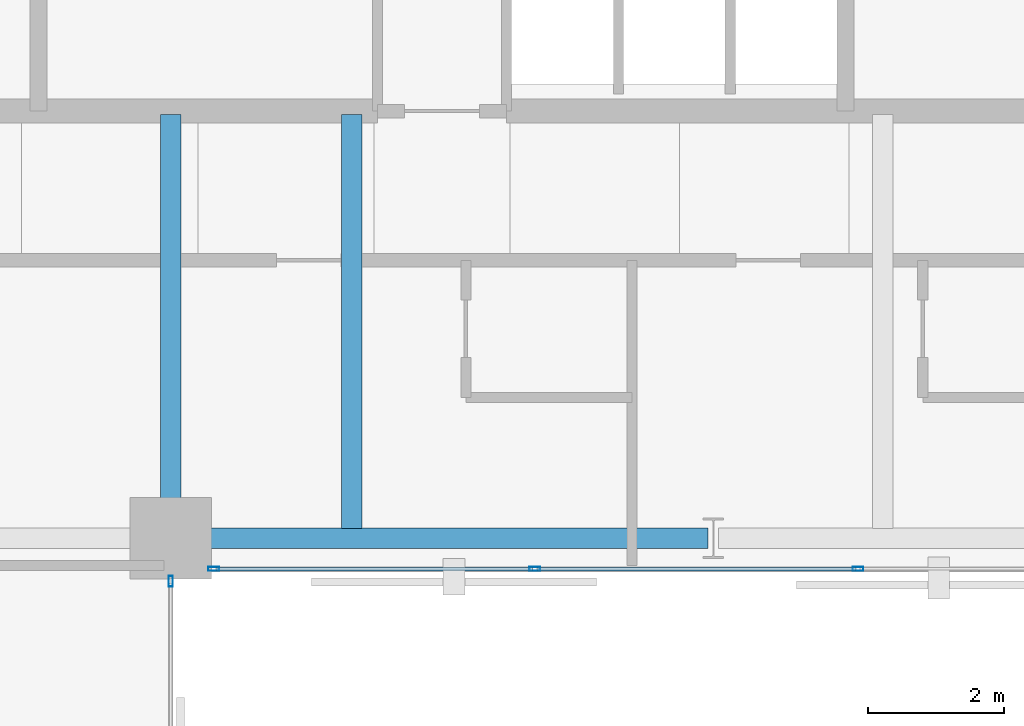
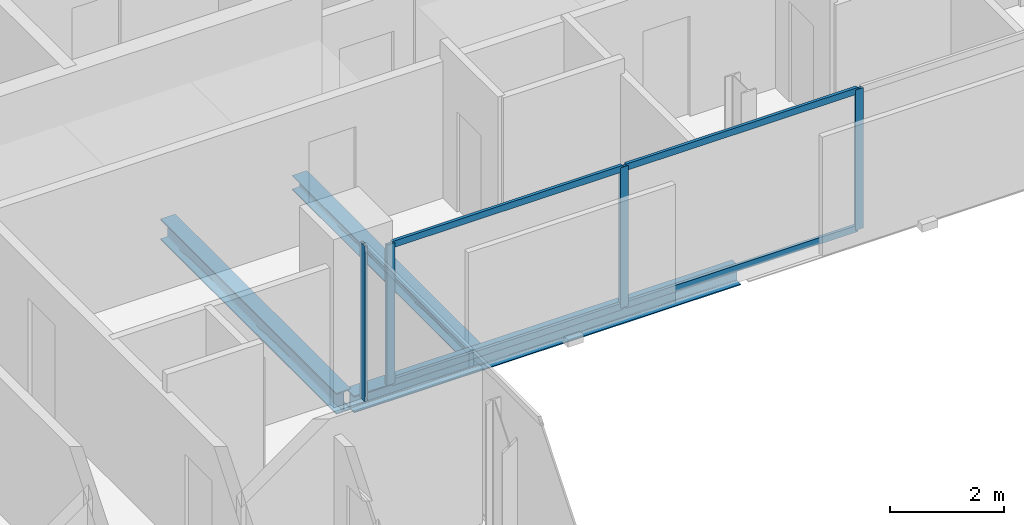
# One storey, part 13 of 32: 8 members, 3 beams, 2 elements without a shape of their own.
"""IFC4 building model written with IfcOpenShell, lengths in metres."""

import ifcopenshell
import ifcopenshell.guid

model = None  # the IFC model being written
_history = None  # IfcOwnerHistory: only IFC2X3 demands one
_inside = {}  # id of a spatial element -> (the spatial element, [elements in it])
_under = {}  # id of a project, library or spatial element -> (it, [spatial elements below it])
_declared = {}  # id of a project -> (the project, [libraries it declares])
_typed = {}  # id of a type object -> (the type object, [elements of that type])
_made_of = {}  # id of a material, layer set ... -> (it, [elements and type objects made of it])


def new_model(schema):
    """Start an empty IFC model of exactly this schema.

    Asked for "IFC4X3", IfcOpenShell would pick the latest addendum, in which some entities
    have other attributes; the version numbers below select the first issue.
    IFC2X3 requires an IfcOwnerHistory on every rooted entity: one is made here for all.
    """
    global model, _history
    if schema == "IFC4X3":
        model = ifcopenshell.file(schema_version=(4, 3, 0, 0))
    else:
        model = ifcopenshell.file(schema=schema)
    _inside.clear()
    _under.clear()
    _declared.clear()
    _typed.clear()
    _made_of.clear()
    _history = None
    if model.schema == "IFC2X3":
        org = make("IfcOrganization", Name="unknown")
        user = make(
            "IfcPersonAndOrganization",
            ThePerson=make("IfcPerson", FamilyName="unknown"),
            TheOrganization=org,
        )
        app = make(
            "IfcApplication",
            ApplicationDeveloper=org,
            Version="unknown",
            ApplicationFullName="unknown",
            ApplicationIdentifier="unknown",
        )
        _history = make(
            "IfcOwnerHistory",
            OwningUser=user,
            OwningApplication=app,
            ChangeAction="ADDED",
            CreationDate=0,
        )
    return model


def make(cls, **values):
    """One entity of the class cls with the attributes given. An attribute that is None is left unset."""
    return model.create_entity(
        cls, **{name: value for name, value in values.items() if value is not None}
    )


def rooted(cls, **values):
    """An entity with a GlobalId (a new one), such as an element, a storey or a relation."""
    return make(cls, GlobalId=ifcopenshell.guid.new(), OwnerHistory=_history, **values)


def si_unit(unit_type, name, prefix=None):
    """IfcSIUnit, for example si_unit("LENGTHUNIT", "METRE", prefix="MILLI")."""
    return make("IfcSIUnit", UnitType=unit_type, Prefix=prefix, Name=name)


def assignment(units):
    """IfcUnitAssignment: the units of a project."""
    return None if units is None else make("IfcUnitAssignment", Units=units)


def point(xyz):
    """IfcCartesianPoint."""
    return None if xyz is None else make("IfcCartesianPoint", Coordinates=xyz)


def direction(xyz):
    """IfcDirection."""
    return None if xyz is None else make("IfcDirection", DirectionRatios=xyz)


def frame(location, z_axis=None, x_axis=None):
    """IfcAxis2Placement3D, a coordinate frame: its origin and axes. An axis left out is left unset."""
    return make(
        "IfcAxis2Placement3D",
        Location=point(location),
        Axis=direction(z_axis),
        RefDirection=direction(x_axis),
    )


def frame_2d(location, x_axis=None):
    """IfcAxis2Placement2D, a coordinate frame in the plane: its origin and x axis."""
    return make(
        "IfcAxis2Placement2D", Location=point(location), RefDirection=direction(x_axis)
    )


def origin():
    """The frame at (0, 0, 0) with its axes left unset."""
    return frame((0.0, 0.0, 0.0))


def origin_2d():
    """The frame at (0, 0) in the plane with its x axis left unset."""
    return frame_2d((0.0, 0.0))


def place(relative_to, where):
    """IfcLocalPlacement: puts the frame where relative to a parent placement (None: the world)."""
    return make(
        "IfcLocalPlacement", PlacementRelTo=relative_to, RelativePlacement=where
    )


def context(
    kind, dimensions, precision=None, world=None, true_north=None, identifier=None
):
    """IfcGeometricRepresentationContext, for example the 3D "Model" context."""
    return make(
        "IfcGeometricRepresentationContext",
        ContextIdentifier=identifier,
        ContextType=kind,
        CoordinateSpaceDimension=dimensions,
        Precision=precision,
        WorldCoordinateSystem=world,
        TrueNorth=true_north,
    )


def subcontext(parent, identifier, kind, view, scale=None):
    """IfcGeometricRepresentationSubContext, for example "Body" below "Model"."""
    return make(
        "IfcGeometricRepresentationSubContext",
        ContextIdentifier=identifier,
        ContextType=kind,
        ParentContext=parent,
        TargetScale=scale,
        TargetView=view,
    )


def project(units=None, contexts=None):
    """IfcProject with its units and contexts."""
    return rooted(
        "IfcProject",
        Name="project",
        RepresentationContexts=contexts,
        UnitsInContext=assignment(units),
    )


def spatial(cls, under=None, at=None, **own):
    """A site, building, storey or space (cls), placed at a placement, below another one or the project."""
    s = rooted(cls, ObjectPlacement=at, **own)
    if under is not None:
        _under.setdefault(under.id(), (under, []))[1].append(s)
    return s


def profile(cls, at=None, kind="AREA", **sizes):
    """A parametric profile (cls). Its sizes go by their IFC names, for example OverallWidth=200.0."""
    return make(cls, ProfileType=kind, Position=at, **sizes)


def hollow_rectangle(**sizes):
    """IfcRectangleHollowProfileDef."""
    return profile("IfcRectangleHollowProfileDef", **sizes)


def i_section(**sizes):
    """IfcIShapeProfileDef."""
    return profile("IfcIShapeProfileDef", **sizes)


def extrude(swept, where, along, depth):
    """IfcExtrudedAreaSolid: the profile swept, set in the frame where, extruded along a direction by depth."""
    return make(
        "IfcExtrudedAreaSolid",
        SweptArea=swept,
        Position=where,
        ExtrudedDirection=direction(along),
        Depth=depth,
    )


def shape(context_of_items, identifier, shape_type, items):
    """IfcShapeRepresentation: the items that make up one representation, for example the "Body"."""
    return make(
        "IfcShapeRepresentation",
        ContextOfItems=context_of_items,
        RepresentationIdentifier=identifier,
        RepresentationType=shape_type,
        Items=items,
    )


def material(Name=None, Category=None):
    """IfcMaterial."""
    return make("IfcMaterial", Name=Name, Category=Category)


def layer(
    of_material, thickness, ventilated=None, Name=None, Category=None, Priority=None
):
    """IfcMaterialLayer: one layer of a wall or slab, of a material (None: an air gap)."""
    return make(
        "IfcMaterialLayer",
        Material=of_material,
        LayerThickness=thickness,
        IsVentilated=ventilated,
        Name=Name,
        Category=Category,
        Priority=Priority,
    )


def layer_set(layers, Name=None):
    """IfcMaterialLayerSet."""
    return make("IfcMaterialLayerSet", MaterialLayers=layers, LayerSetName=Name)


def material_profile(
    of_material, cross_section, Name=None, Category=None, Priority=None
):
    """IfcMaterialProfile: a cross section and its material."""
    return make(
        "IfcMaterialProfile",
        Name=Name,
        Material=of_material,
        Profile=cross_section,
        Priority=Priority,
        Category=Category,
    )


def profile_set(profiles, Name=None, composite=None):
    """IfcMaterialProfileSet."""
    return make(
        "IfcMaterialProfileSet",
        Name=Name,
        MaterialProfiles=profiles,
        CompositeProfile=composite,
    )


def made_of(thing, what):
    """Note that an element or type object is made of a material, layer set ...; save() writes the relation."""
    if what is not None:
        _made_of.setdefault(what.id(), (what, []))[1].append(thing)
    return thing


def type_object(cls, material=None, **own):
    """A type object (cls), such as IfcWallType, which elements share."""
    return made_of(rooted(cls, **own), material)


def element(
    cls,
    number,
    at=None,
    inside=None,
    cuts=None,
    type_object=None,
    material=None,
    context=None,
    identifier="Body",
    shape_type=None,
    held_by="IfcProductDefinitionShape",
    body=None,
    shapes=None,
    **own,
):
    """One element of the class cls, such as IfcWall. Its Tag is "e" and its number.

    at: its placement. inside: the storey or other place that contains it. cuts: it is an
    opening in that element (IfcRelVoidsElement). A single representation is given by context,
    identifier, shape_type and body (its items); several are given by shapes. held_by: the class
    of the entity that holds the representations. save() writes the other relations.
    """
    e = rooted(cls, Tag="e%d" % number, ObjectPlacement=at, **own)
    if body is not None:
        shapes = [shape(context, identifier, shape_type, body)]
    if shapes is not None:
        e.Representation = make(held_by, Representations=shapes)
    if inside is not None:
        _inside.setdefault(inside.id(), (inside, []))[1].append(e)
    if cuts is not None:
        rooted(
            "IfcRelVoidsElement", RelatingBuildingElement=cuts, RelatedOpeningElement=e
        )
    if type_object is not None:
        _typed.setdefault(type_object.id(), (type_object, []))[1].append(e)
    return made_of(e, material)


def aggregate(whole, parts):
    """IfcRelAggregates: a whole, such as a stair, and the parts it consists of."""
    return rooted("IfcRelAggregates", RelatingObject=whole, RelatedObjects=parts)


def save(model, path):
    """Write the relations noted so far, then the file.

    IfcRelAggregates (storeys below a building ...), IfcRelContainedInSpatialStructure (elements
    in a storey), IfcRelDefinesByType, IfcRelAssociatesMaterial and IfcRelDeclares: one each for
    every whole, place, type object, material and project.
    """
    for whole, parts in _under.values():
        aggregate(whole, parts)
    for where, things in _inside.values():
        rooted(
            "IfcRelContainedInSpatialStructure",
            RelatedElements=things,
            RelatingStructure=where,
        )
    for kind, things in _typed.values():
        rooted("IfcRelDefinesByType", RelatedObjects=things, RelatingType=kind)
    for what, things in _made_of.values():
        rooted("IfcRelAssociatesMaterial", RelatedObjects=things, RelatingMaterial=what)
    for by, libraries in _declared.values():
        rooted("IfcRelDeclares", RelatingContext=by, RelatedDefinitions=libraries)
    model.write(path)


model = new_model("IFC4")

# Units and contexts
model_context = context("Model", 3, precision=1e-05, world=origin(), true_north=direction((0.0, 1.0)))
body_context = subcontext(model_context, "Body", "Model", "MODEL_VIEW")
ifc_project = project(units=[si_unit("LENGTHUNIT", "METRE"), si_unit("AREAUNIT", "SQUARE_METRE"), si_unit("VOLUMEUNIT", "CUBIC_METRE"), si_unit("PLANEANGLEUNIT", "RADIAN"), si_unit("MASSUNIT", "GRAM", prefix="KILO")], contexts=[model_context])

# Site, building, storey
site_placement = place(None, origin())
site = spatial("IfcSite", under=ifc_project, at=site_placement, CompositionType="ELEMENT")
building_placement = place(site_placement, origin())
building = spatial("IfcBuilding", under=site, at=building_placement, Name="Catumbela Crestline Tower", CompositionType="ELEMENT")
storey_placement = place(building_placement, frame((0.0, 0.0, 133.2)))
storey = spatial("IfcBuildingStorey", under=building, at=storey_placement, Name="L34", CompositionType="ELEMENT", Elevation=133.2)

# Beams
ifc_material_1 = material(Name="Structural steel S355J2", Category="steel")
ifc_material_profile_1 = material_profile(ifc_material_1, i_section(OverallWidth=0.3, OverallDepth=0.45, WebThickness=0.014, FlangeThickness=0.026, FilletRadius=0.027, at=origin_2d()), Name="HEB 450")
ifc_profile_set_1 = profile_set([ifc_material_profile_1], Name="Structural steel S355J2")
beam_type_1 = type_object("IfcBeamType", Name="BG-HEB450", PredefinedType="BEAM", material=ifc_profile_set_1)
beam_1_placement = place(storey_placement, frame((24.0, 24.58, -0.485), z_axis=(0.0, 1.0, 0.0), x_axis=(-1.0, 0.0, 0.0)))
element("IfcBeam", 1, at=beam_1_placement, inside=storey, type_object=beam_type_1, Name="L34 Beam BM-L34-SNS29", PredefinedType="BEAM", context=body_context, shape_type="SweptSolid", body=[
    extrude(i_section(OverallWidth=0.3, OverallDepth=0.45, WebThickness=0.014, FlangeThickness=0.026, FilletRadius=0.027, at=origin_2d()), origin(), (0.0, 0.0, 1.0), 6.17),
])
ifc_material_profile_2 = material_profile(ifc_material_1, i_section(OverallWidth=0.3, OverallDepth=0.31, WebThickness=0.009, FlangeThickness=0.0155, FilletRadius=0.027, at=origin_2d()), Name="HEA 320")
ifc_profile_set_2 = profile_set([ifc_material_profile_2], Name="Structural steel S355J2")
beam_type_2 = type_object("IfcBeamType", Name="BJ-HEA320", PredefinedType="JOIST", material=ifc_profile_set_2)
beam_2_placement = place(storey_placement, frame((26.667, 24.647, -0.415), z_axis=(0.0, 1.0, 0.0), x_axis=(-1.0, 0.0, 0.0)))
element("IfcBeam", 2, at=beam_2_placement, inside=storey, type_object=beam_type_2, Name="L34 Joist JS-L34-SP39", PredefinedType="JOIST", context=body_context, shape_type="SweptSolid", body=[
    extrude(i_section(OverallWidth=0.3, OverallDepth=0.31, WebThickness=0.009, FlangeThickness=0.0155, FilletRadius=0.027, at=origin_2d()), origin(), (0.0, 0.0, 1.0), 6.103),
])

# Curtain wall, member
ifc_material_2 = material(Name="Aluminium alloy AW-6060-T66", Category="aluminium")
ifc_layer = layer(ifc_material_2, 0.18, Name="Aluminium alloy AW-6060-T66")
ifc_layer_set = layer_set([ifc_layer], Name="Aluminium alloy AW-6060-T66")
curtain_wall_type = type_object("IfcCurtainWallType", Name="CWU-Z2", PredefinedType="USERDEFINED", material=ifc_layer_set)
curtain_wall_1_placement = place(storey_placement, origin())
curtain_wall_1 = element("IfcCurtainWall", 3, at=curtain_wall_1_placement, inside=storey, type_object=curtain_wall_type, Name="L34 Unitised Curtain Wall CW-L34-E2S1", ObjectType="UNITISED", PredefinedType="USERDEFINED")
ifc_material_profile_3 = material_profile(ifc_material_2, hollow_rectangle(XDim=0.06, YDim=0.16, WallThickness=0.004, at=origin_2d()), Name="ALU 160x60x4")
ifc_profile_set_3 = profile_set([ifc_material_profile_3], Name="Aluminium alloy AW-6060-T66")
member_type_1 = type_object("IfcMemberType", Name="MUL-160X60", PredefinedType="MULLION", material=ifc_profile_set_3)
member_1_placement = place(storey_placement, frame((24.0, 23.8675, 0.0), z_axis=(0.0, 0.0, 1.0), x_axis=(-1.0, 0.0, 0.0)))
member_1 = element("IfcMember", 4, at=member_1_placement, type_object=member_type_1, Name="CWU-Z2 mullion 5", PredefinedType="MULLION", context=body_context, shape_type="SweptSolid", body=[
    extrude(hollow_rectangle(XDim=0.06, YDim=0.16, WallThickness=0.004, at=origin_2d()), origin(), (0.0, 0.0, 1.0), 3.33),
])
aggregate(curtain_wall_1, [member_1])

# Curtain wall, members
curtain_wall_2_placement = place(storey_placement, origin())
curtain_wall_2 = element("IfcCurtainWall", 5, at=curtain_wall_2_placement, inside=storey, type_object=curtain_wall_type, Name="L34 Unitised Curtain Wall CW-L34-E3S1", ObjectType="UNITISED", PredefinedType="USERDEFINED")
member_2_placement = place(storey_placement, frame((24.6325, 24.05, 0.0), z_axis=(0.0, 0.0, 1.0), x_axis=(0.0, 1.0, 0.0)))
member_2 = element("IfcMember", 6, at=member_2_placement, type_object=member_type_1, Name="CWU-Z2 mullion 1", PredefinedType="MULLION", context=body_context, shape_type="SweptSolid", body=[
    extrude(hollow_rectangle(XDim=0.06, YDim=0.16, WallThickness=0.004, at=origin_2d()), origin(), (0.0, 0.0, 1.0), 3.01),
])
member_3_placement = place(storey_placement, frame((29.3667, 24.05, 0.0), z_axis=(0.0, 0.0, 1.0), x_axis=(0.0, 1.0, 0.0)))
member_3 = element("IfcMember", 7, at=member_3_placement, type_object=member_type_1, Name="CWU-Z2 mullion 2", PredefinedType="MULLION", context=body_context, shape_type="SweptSolid", body=[
    extrude(hollow_rectangle(XDim=0.06, YDim=0.16, WallThickness=0.004, at=origin_2d()), origin(), (0.0, 0.0, 1.0), 3.01),
])
member_4_placement = place(storey_placement, frame((34.1333, 24.05, 0.0), z_axis=(0.0, 0.0, 1.0), x_axis=(0.0, 1.0, 0.0)))
member_4 = element("IfcMember", 8, at=member_4_placement, type_object=member_type_1, Name="CWU-Z2 mullion 3", PredefinedType="MULLION", context=body_context, shape_type="SweptSolid", body=[
    extrude(hollow_rectangle(XDim=0.06, YDim=0.16, WallThickness=0.004, at=origin_2d()), origin(), (0.0, 0.0, 1.0), 3.01),
])

# Beam
ifc_material_profile_4 = material_profile(ifc_material_1, i_section(OverallWidth=0.3, OverallDepth=0.36, WebThickness=0.0125, FlangeThickness=0.0225, FilletRadius=0.027, at=origin_2d()), Name="HEB 360")
ifc_profile_set_4 = profile_set([ifc_material_profile_4], Name="Structural steel S355J2")
beam_type_3 = type_object("IfcBeamType", Name="BS-HEB360", PredefinedType="SPANDREL", material=ifc_profile_set_4)
beam_3_placement = place(storey_placement, frame((24.08, 24.5, -0.44), z_axis=(1.0, 0.0, 0.0), x_axis=(0.0, 1.0, 0.0)))
element("IfcBeam", 9, at=beam_3_placement, inside=storey, type_object=beam_type_3, Name="L34 Spandrel SP-L34-S05", PredefinedType="SPANDREL", context=body_context, shape_type="SweptSolid", body=[
    extrude(i_section(OverallWidth=0.3, OverallDepth=0.36, WebThickness=0.0125, FlangeThickness=0.0225, FilletRadius=0.027, at=origin_2d()), origin(), (0.0, 0.0, 1.0), 7.84),
])

# Member
ifc_material_profile_5 = material_profile(ifc_material_2, hollow_rectangle(XDim=0.06, YDim=0.14, WallThickness=0.004, at=origin_2d()), Name="ALU 140x60x4")
ifc_profile_set_5 = profile_set([ifc_material_profile_5], Name="Aluminium alloy AW-6060-T66")
member_type_2 = type_object("IfcMemberType", Name="TRN-140X60", PredefinedType="USERDEFINED", material=ifc_profile_set_5)
member_5_placement = place(storey_placement, frame((24.665, 24.05, 0.03), z_axis=(1.0, 0.0, 0.0), x_axis=(0.0, 1.0, 0.0)))
member_5 = element("IfcMember", 10, at=member_5_placement, type_object=member_type_2, Name="CWU-Z2 transom 1.1", ObjectType="TRANSOM", PredefinedType="USERDEFINED", context=body_context, shape_type="SweptSolid", body=[
    extrude(hollow_rectangle(XDim=0.06, YDim=0.14, WallThickness=0.004, at=origin_2d()), origin(), (0.0, 0.0, 1.0), 4.6692),
])

member_6_placement = place(storey_placement, frame((24.665, 24.05, 2.98), z_axis=(1.0, 0.0, 0.0), x_axis=(0.0, 1.0, 0.0)))
member_6 = element("IfcMember", 11, at=member_6_placement, type_object=member_type_2, Name="CWU-Z2 transom 1.2", ObjectType="TRANSOM", PredefinedType="USERDEFINED", context=body_context, shape_type="SweptSolid", body=[
    extrude(hollow_rectangle(XDim=0.06, YDim=0.14, WallThickness=0.004, at=origin_2d()), origin(), (0.0, 0.0, 1.0), 4.6692),
])

member_7_placement = place(storey_placement, frame((29.3992, 24.05, 0.03), z_axis=(1.0, 0.0, 0.0), x_axis=(0.0, 1.0, 0.0)))
member_7 = element("IfcMember", 12, at=member_7_placement, type_object=member_type_2, Name="CWU-Z2 transom 2.1", ObjectType="TRANSOM", PredefinedType="USERDEFINED", context=body_context, shape_type="SweptSolid", body=[
    extrude(hollow_rectangle(XDim=0.06, YDim=0.14, WallThickness=0.004, at=origin_2d()), origin(), (0.0, 0.0, 1.0), 4.7016),
])

member_8_placement = place(storey_placement, frame((29.3992, 24.05, 2.98), z_axis=(1.0, 0.0, 0.0), x_axis=(0.0, 1.0, 0.0)))
member_8 = element("IfcMember", 13, at=member_8_placement, type_object=member_type_2, Name="CWU-Z2 transom 2.2", ObjectType="TRANSOM", PredefinedType="USERDEFINED", context=body_context, shape_type="SweptSolid", body=[
    extrude(hollow_rectangle(XDim=0.06, YDim=0.14, WallThickness=0.004, at=origin_2d()), origin(), (0.0, 0.0, 1.0), 4.7016),
])

aggregate(curtain_wall_2, [member_2, member_3, member_4, member_5, member_6, member_7, member_8])

save(model, "model.ifc")
